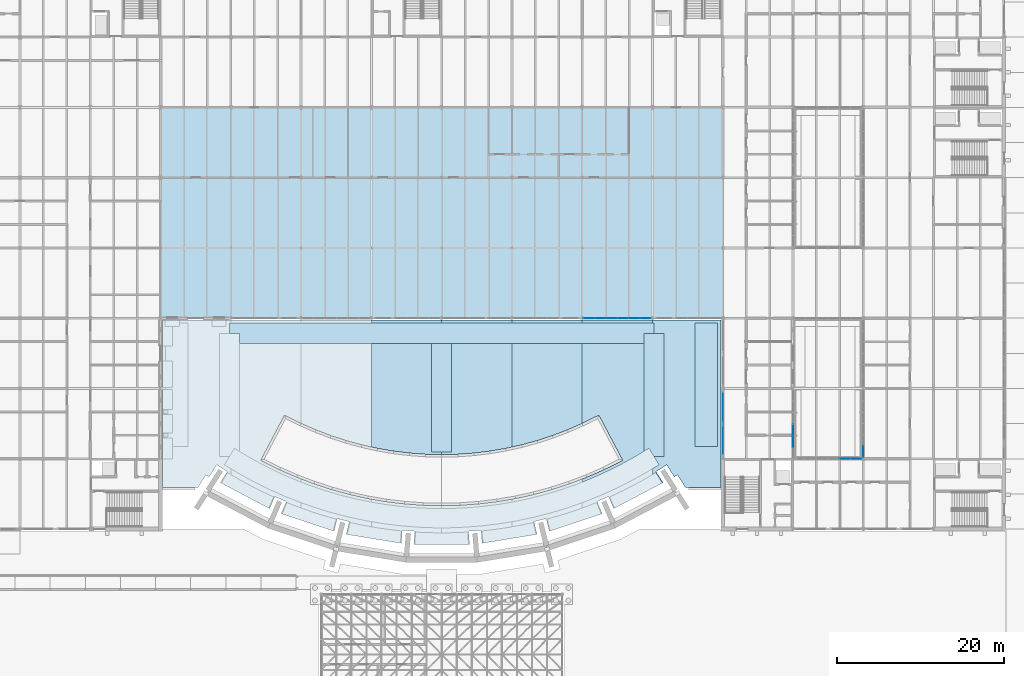
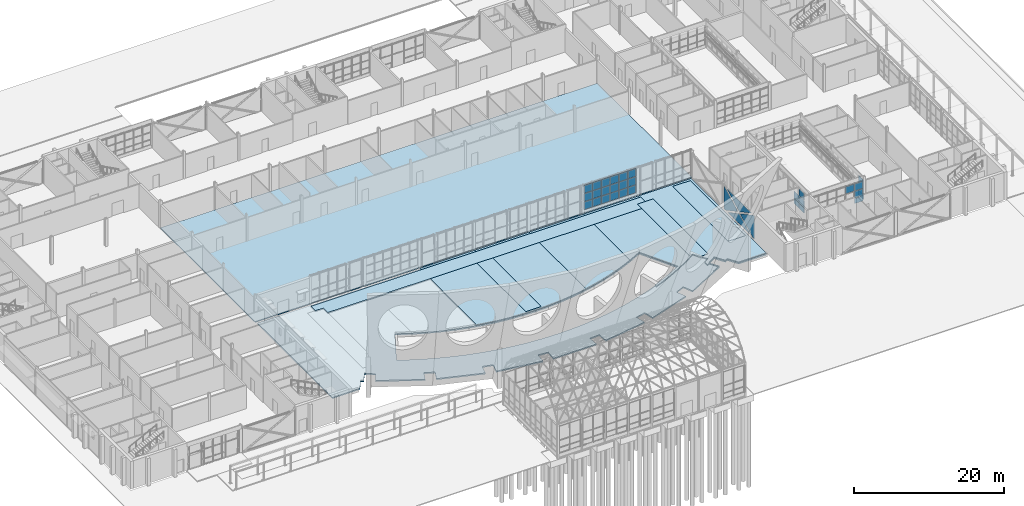
# One storey, part 75 of 116: 34 plates, 15 slabs, 5 elements without a shape of their own.
"""IFC4 building model written with IfcOpenShell, lengths in metres."""

from ifc_helpers import new_model, si_unit, direction, frame, origin, origin_2d, place, context, subcontext, project, spatial, polyline, rectangle, outline, extrude, material, layer, layer_set, type_object, element, aggregate, save


model = new_model("IFC4")

# Units and contexts
model_context = context("Model", 3, precision=1e-05, world=origin(), true_north=direction((0.0, 1.0)))
body_context = subcontext(model_context, "Body", "Model", "MODEL_VIEW")
ifc_project = project(units=[si_unit("LENGTHUNIT", "METRE"), si_unit("AREAUNIT", "SQUARE_METRE"), si_unit("VOLUMEUNIT", "CUBIC_METRE"), si_unit("PLANEANGLEUNIT", "RADIAN"), si_unit("MASSUNIT", "GRAM", prefix="KILO")], contexts=[model_context])

# Site, building, storey
site_placement = place(None, origin())
site = spatial("IfcSite", under=ifc_project, at=site_placement, CompositionType="ELEMENT")
building_placement = place(site_placement, origin())
building = spatial("IfcBuilding", under=site, at=building_placement, Name="Ardhachandra Cancer Care Centre", CompositionType="ELEMENT")
storey_placement = place(building_placement, origin())
storey = spatial("IfcBuildingStorey", under=building, at=storey_placement, Name="L00", CompositionType="ELEMENT", Elevation=0.0)

# Slabs
ifc_material_1 = material(Name="Composite slab Concrete M30 on steel deck", Category="concrete")
ifc_layer_1 = layer(ifc_material_1, 0.14990234375)
ifc_layer_set_1 = layer_set([ifc_layer_1], Name="Composite slab Concrete M30 on steel deck")
slab_type_1 = type_object("IfcSlabType", Name="Composite floor slab 150", PredefinedType="FLOOR", material=ifc_layer_set_1)
slab_1_placement = place(storey_placement, frame((0.0, 0.0, -0.14990234375)))
element("IfcSlab", 1, at=slab_1_placement, inside=storey, type_object=slab_type_1, Name="Floor slab V1-hall", PredefinedType="FLOOR", context=body_context, shape_type="SweptSolid", body=[
    extrude(outline(polyline([(111.60009765625, 54.60009765625), (111.60009765625, 79.800048828125), (44.39990234375, 79.800048828125), (44.39990234375, 54.60009765625), (111.60009765625, 54.60009765625)])), origin(), (0.0, 0.0, 1.0), 0.14990234375),
])
ifc_material_2 = material(Name="Concrete M40", Category="concrete")
ifc_layer_2 = layer(ifc_material_2, 0.199951171875)
ifc_layer_set_2 = layer_set([ifc_layer_2], Name="Concrete M40")
slab_type_2 = type_object("IfcSlabType", Name="Court bearing slab 200", PredefinedType="BASESLAB", material=ifc_layer_set_2)
slab_2_placement = place(storey_placement, frame((0.0, 0.0, -0.35009765625)))
element("IfcSlab", 2, at=slab_2_placement, inside=storey, type_object=slab_type_2, Name="Court bearing slab 1", PredefinedType="BASESLAB", context=body_context, shape_type="SweptSolid", body=[
    extrude(outline(polyline([(73.297119140625, 29.249755859375), (74.792236328125, 29.128662109375), (74.666015625, 27.56982421875), (74.790771484375, 27.56982421875), (81.209228515625, 27.56982421875), (81.333984375, 27.56982421875), (81.207763671875, 29.128662109375), (82.702880859375, 29.249755859375), (82.8291015625, 27.691162109375), (82.95263671875, 27.711181640625), (89.287109375, 28.74462890625), (86.39990234375, 28.273681640625), (89.410400390625, 28.7646484375), (89.03466796875, 30.28271484375), (90.49072265625, 30.64306640625), (90.866455078125, 29.125), (90.98486328125, 29.164794921875), (90.98486328125, 29.164794921875), (97.0703125, 31.20458984375), (96.295166015625, 30.94482421875), (97.18896484375, 31.244384765625), (96.57373046875, 32.681884765625), (97.952880859375, 33.27197265625), (98.56787109375, 31.834228515625), (98.678466796875, 31.892578125), (104.02001953125, 34.70849609375), (104.466796875, 34.94384765625), (103.628173828125, 36.263916015625), (104.894287109375, 37.068359375), (105.798095703125, 35.645751953125), (106.19384765625, 35.8544921875), (107.130859375, 34.379638671875), (111.375, 34.379638671875), (111.375, 54.375), (103.199951171875, 54.375), (94.800048828125, 54.375), (86.39990234375, 54.375), (78.0, 54.375), (69.60009765625, 54.375), (61.199951171875, 54.375), (52.800048828125, 54.375), (44.625, 54.375), (44.625, 34.379638671875), (48.869140625, 34.379638671875), (49.80615234375, 35.8544921875), (50.201904296875, 35.645751953125), (51.105712890625, 37.068359375), (52.371826171875, 36.263916015625), (51.533203125, 34.94384765625), (51.643798828125, 34.8857421875), (57.321533203125, 31.892578125), (57.43212890625, 31.834228515625), (58.047119140625, 33.27197265625), (59.42626953125, 32.681884765625), (58.81103515625, 31.244384765625), (61.199951171875, 30.443603515625), (58.9296875, 31.20458984375), (65.01513671875, 29.164794921875), (65.01513671875, 29.164794921875), (65.133544921875, 29.125), (65.50927734375, 30.64306640625), (66.96533203125, 30.28271484375), (66.589599609375, 28.7646484375), (69.60009765625, 28.273681640625), (66.712890625, 28.74462890625), (73.04736328125, 27.711181640625), (73.1708984375, 27.691162109375), (73.297119140625, 29.249755859375)]), holes=[polyline([(103.5888671875, 36.140869140625), (103.199951171875, 35.91162109375), (102.24609375, 35.34912109375), (103.5888671875, 36.140869140625)]), polyline([(76.07421875, 38.3359375), (74.153076171875, 38.47607421875), (72.24072265625, 38.708984375), (70.342041015625, 39.03466796875), (69.60009765625, 39.19921875), (68.46142578125, 39.451904296875), (66.603271484375, 39.959716796875), (64.77197265625, 40.55712890625), (62.9716796875, 41.24267578125), (61.206787109375, 42.014892578125), (61.199951171875, 42.018310546875), (59.212646484375, 43.005126953125), (56.367919921875, 37.608642578125), (58.627197265625, 36.487060546875), (60.6630859375, 35.59619140625), (61.199951171875, 35.391845703125), (62.739990234375, 34.805419921875), (64.8525390625, 34.1162109375), (66.99609375, 33.5302734375), (69.165771484375, 33.048828125), (69.60009765625, 32.974365234375), (71.35595703125, 32.67333984375), (73.56201171875, 32.404541015625), (75.7783203125, 32.242919921875), (78.0, 32.18896484375), (80.2216796875, 32.242919921875), (82.43798828125, 32.404541015625), (84.64404296875, 32.67333984375), (86.39990234375, 32.974365234375), (86.834228515625, 33.048828125), (89.00390625, 33.5302734375), (91.1474609375, 34.1162109375), (93.260009765625, 34.805419921875), (94.800048828125, 35.391845703125), (95.3369140625, 35.59619140625), (97.372802734375, 36.487060546875), (99.632080078125, 37.608642578125), (96.787353515625, 43.005126953125), (94.800048828125, 42.018310546875), (94.793212890625, 42.014892578125), (93.0283203125, 41.24267578125), (91.22802734375, 40.55712890625), (89.396728515625, 39.959716796875), (87.53857421875, 39.451904296875), (86.39990234375, 39.19921875), (85.657958984375, 39.03466796875), (83.75927734375, 38.708984375), (81.846923828125, 38.47607421875), (79.92578125, 38.3359375), (78.0, 38.289306640625), (76.07421875, 38.3359375)]), polyline([(95.9033203125, 35.45263671875), (94.800048828125, 35.015380859375), (94.104248046875, 34.73974609375), (95.9033203125, 35.45263671875)]), polyline([(93.01123046875, 31.9228515625), (94.800048828125, 32.54638671875), (94.884033203125, 32.575927734375), (93.01123046875, 31.9228515625)]), polyline([(85.109619140625, 30.063720703125), (86.39990234375, 30.2822265625), (87.065185546875, 30.394775390625), (85.109619140625, 30.063720703125)]), polyline([(86.657470703125, 32.658447265625), (86.39990234375, 32.614990234375), (84.749267578125, 32.33544921875), (86.657470703125, 32.658447265625)]), polyline([(69.60009765625, 32.614990234375), (69.342529296875, 32.658447265625), (71.250732421875, 32.33544921875), (69.60009765625, 32.614990234375)]), polyline([(68.934814453125, 30.394775390625), (69.60009765625, 30.2822265625), (70.890380859375, 30.063720703125), (68.934814453125, 30.394775390625)]), polyline([(60.9375, 32.001708984375), (62.407470703125, 31.48291015625), (61.199951171875, 31.9091796875), (60.9375, 32.001708984375)]), polyline([(52.800048828125, 35.91162109375), (52.4111328125, 36.140869140625), (53.75390625, 35.34912109375), (52.800048828125, 35.91162109375)])]), origin(), (0.0, 0.0, 1.0), 0.2001953125),
])

# Curtain wall, plates
ifc_material_3 = material(Name="Aluminium extrusion", Category="aluminium")
ifc_layer_3 = layer(ifc_material_3, 0.14990234375)
ifc_layer_set_3 = layer_set([ifc_layer_3], Name="Aluminium extrusion")
curtain_wall_type = type_object("IfcCurtainWallType", Name="Curtain wall run", PredefinedType="NOTDEFINED", material=ifc_layer_set_3)
curtain_wall_1_placement = place(storey_placement, origin())
curtain_wall_1 = element("IfcCurtainWall", 3, at=curtain_wall_1_placement, inside=storey, type_object=curtain_wall_type, Name="Curtain wall L00 e/0120000_0037800", PredefinedType="NOTDEFINED")
ifc_material_4 = material(Name="Low-iron double-glazed unit")
ifc_layer_4 = layer(ifc_material_4, 0.028076171875)
ifc_layer_set_4 = layer_set([ifc_layer_4], Name="Low-iron double-glazed unit")
plate_type_1 = type_object("IfcPlateType", Name="Curtain wall glazing 28", PredefinedType="CURTAIN_PANEL", material=ifc_layer_set_4)
plate_1_placement = place(storey_placement, frame((120.0, 39.862548828125, 1.3798828125), z_axis=(0.0, 0.0, 1.0), x_axis=(0.0, 1.0, 0.0)))
plate_1 = element("IfcPlate", 4, at=plate_1_placement, type_object=plate_type_1, Name="CW panel 2.2", PredefinedType="CURTAIN_PANEL", context=body_context, shape_type="SweptSolid", body=[
    extrude(rectangle(XDim=1.31494140625, YDim=0.028076171875, at=origin_2d()), origin(), (0.0, 0.0, 1.0), 1.139892578125),
])
plate_2_placement = place(storey_placement, frame((120.0, 39.862548828125, 2.580078125), z_axis=(0.0, 0.0, 1.0), x_axis=(0.0, 1.0, 0.0)))
plate_2 = element("IfcPlate", 5, at=plate_2_placement, type_object=plate_type_1, Name="CW panel 2.3", PredefinedType="CURTAIN_PANEL", context=body_context, shape_type="SweptSolid", body=[
    extrude(rectangle(XDim=1.31494140625, YDim=0.028076171875, at=origin_2d()), origin(), (0.0, 0.0, 1.0), 1.159912109375),
])

curtain_wall_2_placement = place(storey_placement, origin())
curtain_wall_2 = element("IfcCurtainWall", 6, at=curtain_wall_2_placement, inside=storey, type_object=curtain_wall_type, Name="Curtain wall L00 n/0120000_0037800", PredefinedType="NOTDEFINED")
plate_3_placement = place(storey_placement, frame((126.1875, 37.800048828125, 2.580078125), z_axis=(0.0, 0.0, 1.0), x_axis=(1.0, 0.0, 0.0)))
plate_3 = element("IfcPlate", 7, at=plate_3_placement, type_object=plate_type_1, Name="CW panel 5.3", PredefinedType="CURTAIN_PANEL", context=body_context, shape_type="SweptSolid", body=[
    extrude(rectangle(XDim=1.31494140625, YDim=0.028076171875, at=origin_2d()), origin(), (0.0, 0.0, 1.0), 1.159912109375),
])
plate_4_placement = place(storey_placement, frame((127.547607421875, 37.800048828125, 1.3798828125), z_axis=(0.0, 0.0, 1.0), x_axis=(1.0, 0.0, 0.0)))
plate_4 = element("IfcPlate", 8, at=plate_4_placement, type_object=plate_type_1, Name="CW panel 6.2", PredefinedType="CURTAIN_PANEL", context=body_context, shape_type="SweptSolid", body=[
    extrude(rectangle(XDim=1.284912109375, YDim=0.028076171875, at=origin_2d()), origin(), (0.0, 0.0, 1.0), 1.139892578125),
])
plate_5_placement = place(storey_placement, frame((127.547607421875, 37.800048828125, 2.580078125), z_axis=(0.0, 0.0, 1.0), x_axis=(1.0, 0.0, 0.0)))
plate_5 = element("IfcPlate", 9, at=plate_5_placement, type_object=plate_type_1, Name="CW panel 6.3", PredefinedType="CURTAIN_PANEL", context=body_context, shape_type="SweptSolid", body=[
    extrude(rectangle(XDim=1.284912109375, YDim=0.028076171875, at=origin_2d()), origin(), (0.0, 0.0, 1.0), 1.159912109375),
])

curtain_wall_3_placement = place(storey_placement, origin())
curtain_wall_3 = element("IfcCurtainWall", 10, at=curtain_wall_3_placement, inside=storey, type_object=curtain_wall_type, Name="Curtain wall L00 s/0094800_0054600", PredefinedType="NOTDEFINED")
plate_6_placement = place(storey_placement, frame((95.639892578125, 54.60009765625, 0.509765625), z_axis=(0.0, 0.0, 1.0), x_axis=(1.0, 0.0, 0.0)))
plate_6 = element("IfcPlate", 11, at=plate_6_placement, type_object=plate_type_1, Name="CW panel 1.1", PredefinedType="CURTAIN_PANEL", context=body_context, shape_type="SweptSolid", body=[
    extrude(rectangle(XDim=1.260009765625, YDim=0.028076171875, at=origin_2d()), origin(), (0.0, 0.0, 1.0), 1.260009765625),
])
plate_7_placement = place(storey_placement, frame((95.639892578125, 54.60009765625, 1.830078125), z_axis=(0.0, 0.0, 1.0), x_axis=(1.0, 0.0, 0.0)))
plate_7 = element("IfcPlate", 12, at=plate_7_placement, type_object=plate_type_1, Name="CW panel 1.2", PredefinedType="CURTAIN_PANEL", context=body_context, shape_type="SweptSolid", body=[
    extrude(rectangle(XDim=1.260009765625, YDim=0.028076171875, at=origin_2d()), origin(), (0.0, 0.0, 1.0), 1.2900390625),
])
plate_8_placement = place(storey_placement, frame((95.639892578125, 54.60009765625, 3.18017578125), z_axis=(0.0, 0.0, 1.0), x_axis=(1.0, 0.0, 0.0)))
plate_8 = element("IfcPlate", 13, at=plate_8_placement, type_object=plate_type_1, Name="CW panel 1.3", PredefinedType="CURTAIN_PANEL", context=body_context, shape_type="SweptSolid", body=[
    extrude(rectangle(XDim=1.260009765625, YDim=0.028076171875, at=origin_2d()), origin(), (0.0, 0.0, 1.0), 1.260009765625),
])
plate_9_placement = place(storey_placement, frame((96.97509765625, 54.60009765625, 0.509765625), z_axis=(0.0, 0.0, 1.0), x_axis=(1.0, 0.0, 0.0)))
plate_9 = element("IfcPlate", 14, at=plate_9_placement, type_object=plate_type_1, Name="CW panel 2.1", PredefinedType="CURTAIN_PANEL", context=body_context, shape_type="SweptSolid", body=[
    extrude(rectangle(XDim=1.2900390625, YDim=0.028076171875, at=origin_2d()), origin(), (0.0, 0.0, 1.0), 1.260009765625),
])
plate_10_placement = place(storey_placement, frame((96.97509765625, 54.60009765625, 1.830078125), z_axis=(0.0, 0.0, 1.0), x_axis=(1.0, 0.0, 0.0)))
plate_10 = element("IfcPlate", 15, at=plate_10_placement, type_object=plate_type_1, Name="CW panel 2.2", PredefinedType="CURTAIN_PANEL", context=body_context, shape_type="SweptSolid", body=[
    extrude(rectangle(XDim=1.2900390625, YDim=0.028076171875, at=origin_2d()), origin(), (0.0, 0.0, 1.0), 1.2900390625),
])
plate_11_placement = place(storey_placement, frame((96.97509765625, 54.60009765625, 3.18017578125), z_axis=(0.0, 0.0, 1.0), x_axis=(1.0, 0.0, 0.0)))
plate_11 = element("IfcPlate", 16, at=plate_11_placement, type_object=plate_type_1, Name="CW panel 2.3", PredefinedType="CURTAIN_PANEL", context=body_context, shape_type="SweptSolid", body=[
    extrude(rectangle(XDim=1.2900390625, YDim=0.028076171875, at=origin_2d()), origin(), (0.0, 0.0, 1.0), 1.260009765625),
])
plate_12_placement = place(storey_placement, frame((98.324951171875, 54.60009765625, 0.509765625), z_axis=(0.0, 0.0, 1.0), x_axis=(1.0, 0.0, 0.0)))
plate_12 = element("IfcPlate", 17, at=plate_12_placement, type_object=plate_type_1, Name="CW panel 3.1", PredefinedType="CURTAIN_PANEL", context=body_context, shape_type="SweptSolid", body=[
    extrude(rectangle(XDim=1.2900390625, YDim=0.028076171875, at=origin_2d()), origin(), (0.0, 0.0, 1.0), 1.260009765625),
])
plate_13_placement = place(storey_placement, frame((98.324951171875, 54.60009765625, 1.830078125), z_axis=(0.0, 0.0, 1.0), x_axis=(1.0, 0.0, 0.0)))
plate_13 = element("IfcPlate", 18, at=plate_13_placement, type_object=plate_type_1, Name="CW panel 3.2", PredefinedType="CURTAIN_PANEL", context=body_context, shape_type="SweptSolid", body=[
    extrude(rectangle(XDim=1.2900390625, YDim=0.028076171875, at=origin_2d()), origin(), (0.0, 0.0, 1.0), 1.2900390625),
])
plate_14_placement = place(storey_placement, frame((98.324951171875, 54.60009765625, 3.18017578125), z_axis=(0.0, 0.0, 1.0), x_axis=(1.0, 0.0, 0.0)))
plate_14 = element("IfcPlate", 19, at=plate_14_placement, type_object=plate_type_1, Name="CW panel 3.3", PredefinedType="CURTAIN_PANEL", context=body_context, shape_type="SweptSolid", body=[
    extrude(rectangle(XDim=1.2900390625, YDim=0.028076171875, at=origin_2d()), origin(), (0.0, 0.0, 1.0), 1.260009765625),
])
plate_15_placement = place(storey_placement, frame((99.675048828125, 54.60009765625, 0.509765625), z_axis=(0.0, 0.0, 1.0), x_axis=(1.0, 0.0, 0.0)))
plate_15 = element("IfcPlate", 20, at=plate_15_placement, type_object=plate_type_1, Name="CW panel 4.1", PredefinedType="CURTAIN_PANEL", context=body_context, shape_type="SweptSolid", body=[
    extrude(rectangle(XDim=1.2900390625, YDim=0.028076171875, at=origin_2d()), origin(), (0.0, 0.0, 1.0), 1.260009765625),
])
plate_16_placement = place(storey_placement, frame((99.675048828125, 54.60009765625, 1.830078125), z_axis=(0.0, 0.0, 1.0), x_axis=(1.0, 0.0, 0.0)))
plate_16 = element("IfcPlate", 21, at=plate_16_placement, type_object=plate_type_1, Name="CW panel 4.2", PredefinedType="CURTAIN_PANEL", context=body_context, shape_type="SweptSolid", body=[
    extrude(rectangle(XDim=1.2900390625, YDim=0.028076171875, at=origin_2d()), origin(), (0.0, 0.0, 1.0), 1.2900390625),
])
plate_17_placement = place(storey_placement, frame((99.675048828125, 54.60009765625, 3.18017578125), z_axis=(0.0, 0.0, 1.0), x_axis=(1.0, 0.0, 0.0)))
plate_17 = element("IfcPlate", 22, at=plate_17_placement, type_object=plate_type_1, Name="CW panel 4.3", PredefinedType="CURTAIN_PANEL", context=body_context, shape_type="SweptSolid", body=[
    extrude(rectangle(XDim=1.2900390625, YDim=0.028076171875, at=origin_2d()), origin(), (0.0, 0.0, 1.0), 1.260009765625),
])
plate_18_placement = place(storey_placement, frame((101.02490234375, 54.60009765625, 0.509765625), z_axis=(0.0, 0.0, 1.0), x_axis=(1.0, 0.0, 0.0)))
plate_18 = element("IfcPlate", 23, at=plate_18_placement, type_object=plate_type_1, Name="CW panel 5.1", PredefinedType="CURTAIN_PANEL", context=body_context, shape_type="SweptSolid", body=[
    extrude(rectangle(XDim=1.2900390625, YDim=0.028076171875, at=origin_2d()), origin(), (0.0, 0.0, 1.0), 1.260009765625),
])
plate_19_placement = place(storey_placement, frame((101.02490234375, 54.60009765625, 1.830078125), z_axis=(0.0, 0.0, 1.0), x_axis=(1.0, 0.0, 0.0)))
plate_19 = element("IfcPlate", 24, at=plate_19_placement, type_object=plate_type_1, Name="CW panel 5.2", PredefinedType="CURTAIN_PANEL", context=body_context, shape_type="SweptSolid", body=[
    extrude(rectangle(XDim=1.2900390625, YDim=0.028076171875, at=origin_2d()), origin(), (0.0, 0.0, 1.0), 1.2900390625),
])
plate_20_placement = place(storey_placement, frame((101.02490234375, 54.60009765625, 3.18017578125), z_axis=(0.0, 0.0, 1.0), x_axis=(1.0, 0.0, 0.0)))
plate_20 = element("IfcPlate", 25, at=plate_20_placement, type_object=plate_type_1, Name="CW panel 5.3", PredefinedType="CURTAIN_PANEL", context=body_context, shape_type="SweptSolid", body=[
    extrude(rectangle(XDim=1.2900390625, YDim=0.028076171875, at=origin_2d()), origin(), (0.0, 0.0, 1.0), 1.260009765625),
])
plate_21_placement = place(storey_placement, frame((102.360107421875, 54.60009765625, 0.509765625), z_axis=(0.0, 0.0, 1.0), x_axis=(1.0, 0.0, 0.0)))
plate_21 = element("IfcPlate", 26, at=plate_21_placement, type_object=plate_type_1, Name="CW panel 6.1", PredefinedType="CURTAIN_PANEL", context=body_context, shape_type="SweptSolid", body=[
    extrude(rectangle(XDim=1.260009765625, YDim=0.028076171875, at=origin_2d()), origin(), (0.0, 0.0, 1.0), 1.260009765625),
])
plate_22_placement = place(storey_placement, frame((102.360107421875, 54.60009765625, 1.830078125), z_axis=(0.0, 0.0, 1.0), x_axis=(1.0, 0.0, 0.0)))
plate_22 = element("IfcPlate", 27, at=plate_22_placement, type_object=plate_type_1, Name="CW panel 6.2", PredefinedType="CURTAIN_PANEL", context=body_context, shape_type="SweptSolid", body=[
    extrude(rectangle(XDim=1.260009765625, YDim=0.028076171875, at=origin_2d()), origin(), (0.0, 0.0, 1.0), 1.2900390625),
])
plate_23_placement = place(storey_placement, frame((102.360107421875, 54.60009765625, 3.18017578125), z_axis=(0.0, 0.0, 1.0), x_axis=(1.0, 0.0, 0.0)))
plate_23 = element("IfcPlate", 28, at=plate_23_placement, type_object=plate_type_1, Name="CW panel 6.3", PredefinedType="CURTAIN_PANEL", context=body_context, shape_type="SweptSolid", body=[
    extrude(rectangle(XDim=1.260009765625, YDim=0.028076171875, at=origin_2d()), origin(), (0.0, 0.0, 1.0), 1.260009765625),
])
aggregate(curtain_wall_3, [plate_6, plate_7, plate_8, plate_9, plate_10, plate_11, plate_12, plate_13, plate_14, plate_15, plate_16, plate_17, plate_18, plate_19, plate_20, plate_21, plate_22, plate_23])

curtain_wall_4_placement = place(storey_placement, origin())
curtain_wall_4 = element("IfcCurtainWall", 29, at=curtain_wall_4_placement, inside=storey, type_object=curtain_wall_type, Name="Curtain wall L00 w/0111600_0037800", PredefinedType="NOTDEFINED")
plate_24_placement = place(storey_placement, frame((111.60009765625, 45.9951171875, 3.7900390625), z_axis=(-1.0, 0.0, 0.0), x_axis=(0.0, 0.0, -1.0)))
plate_24 = element("IfcPlate", 30, at=plate_24_placement, type_object=plate_type_1, Name="CW panel 1.1", PredefinedType="CURTAIN_PANEL", context=body_context, shape_type="SweptSolid", body=[
    extrude(outline(polyline([(0.0, 0.0), (3.72998046875, 0.0), (3.72998046875, 0.362548828125), (1.93994140625, 3.703857421875), (0.0, 0.08251953125), (0.0, 0.0)])), origin(), (0.0, 0.0, 1.0), 0.028076171875),
])
plate_25_placement = place(storey_placement, frame((111.60009765625, 45.330078125, 3.7900390625), z_axis=(-1.0, 0.0, 0.0), x_axis=(0.0, -0.881483812908, -0.47221423907)))
plate_25 = element("IfcPlate", 31, at=plate_25_placement, type_object=plate_type_1, Name="CW panel 1.1", PredefinedType="CURTAIN_PANEL", context=body_context, shape_type="SweptSolid", body=[
    extrude(outline(polyline([(0.0, 0.0), (3.77783203125, 0.0), (5.870849609375, 3.14501953125), (0.0, 0.0)])), frame((0.0, 0.0, -0.028076171875)), (0.0, 0.0, 1.0), 0.028076171875),
])
plate_26_placement = place(storey_placement, frame((111.60009765625, 37.860107421875, 0.06005859375), z_axis=(-1.0, 0.0, 0.0), x_axis=(0.0, 0.0, 1.0)))
plate_26 = element("IfcPlate", 32, at=plate_26_placement, type_object=plate_type_1, Name="CW panel 1.1", PredefinedType="CURTAIN_PANEL", context=body_context, shape_type="SweptSolid", body=[
    extrude(outline(polyline([(0.0, 0.0), (3.72998046875, 0.0), (3.72998046875, 0.227294921875), (1.7900390625, 3.8486328125), (0.0, 0.50732421875), (0.0, 0.0)])), origin(), (0.0, 0.0, 1.0), 0.028076171875),
])
plate_27_placement = place(storey_placement, frame((111.60009765625, 38.949951171875, 0.06005859375), z_axis=(-1.0, 0.0, 0.0), x_axis=(0.0, 0.881470529599, 0.472239034228)))
plate_27 = element("IfcPlate", 33, at=plate_27_placement, type_object=plate_type_1, Name="CW panel 1.1", PredefinedType="CURTAIN_PANEL", context=body_context, shape_type="SweptSolid", body=[
    extrude(outline(polyline([(0.0, 0.0), (3.460205078125, 0.0), (5.376953125, 2.880615234375), (0.0, 0.0)])), frame((0.0, 0.0, -0.028076171875)), (0.0, 0.0, 1.0), 0.028076171875),
])
aggregate(curtain_wall_4, [plate_24, plate_25, plate_26, plate_27])

curtain_wall_5_placement = place(storey_placement, origin())
curtain_wall_5 = element("IfcCurtainWall", 34, at=curtain_wall_5_placement, inside=storey, type_object=curtain_wall_type, Name="Curtain wall L00 w/0128400_0037800", PredefinedType="NOTDEFINED")
plate_28_placement = place(storey_placement, frame((128.39990234375, 38.639892578125, 1.3798828125), z_axis=(0.0, 0.0, 1.0), x_axis=(0.0, 1.0, 0.0)))
plate_28 = element("IfcPlate", 35, at=plate_28_placement, type_object=plate_type_1, Name="CW panel 1.2", PredefinedType="CURTAIN_PANEL", context=body_context, shape_type="SweptSolid", body=[
    extrude(rectangle(XDim=1.260009765625, YDim=0.028076171875, at=origin_2d()), origin(), (0.0, 0.0, 1.0), 1.139892578125),
])
plate_29_placement = place(storey_placement, frame((128.39990234375, 38.639892578125, 2.580078125), z_axis=(0.0, 0.0, 1.0), x_axis=(0.0, 1.0, 0.0)))
plate_29 = element("IfcPlate", 36, at=plate_29_placement, type_object=plate_type_1, Name="CW panel 1.3", PredefinedType="CURTAIN_PANEL", context=body_context, shape_type="SweptSolid", body=[
    extrude(rectangle(XDim=1.260009765625, YDim=0.028076171875, at=origin_2d()), origin(), (0.0, 0.0, 1.0), 1.159912109375),
])

# Plate
ifc_material_5 = material(Name="Aluminium composite spandrel panel", Category="aluminium")
ifc_layer_5 = layer(ifc_material_5, 0.028076171875)
ifc_layer_set_5 = layer_set([ifc_layer_5], Name="Aluminium composite spandrel panel")
plate_type_2 = type_object("IfcPlateType", Name="Curtain wall spandrel panel 28", PredefinedType="CURTAIN_PANEL", material=ifc_layer_set_5)
plate_30_placement = place(storey_placement, frame((120.0, 39.862548828125, 0.510009765625), z_axis=(0.0, 0.0, 1.0), x_axis=(0.0, 1.0, 0.0)))
plate_30 = element("IfcPlate", 37, at=plate_30_placement, type_object=plate_type_2, Name="CW panel 2.1", PredefinedType="CURTAIN_PANEL", context=body_context, shape_type="SweptSolid", body=[
    extrude(rectangle(XDim=1.31494140625, YDim=0.028076171875, at=origin_2d()), origin(), (0.0, 0.0, 1.0), 0.81005859375),
])

plate_31_placement = place(storey_placement, frame((120.0, 41.237548828125, 0.510009765625), z_axis=(0.0, 0.0, 1.0), x_axis=(0.0, 1.0, 0.0)))
plate_31 = element("IfcPlate", 38, at=plate_31_placement, type_object=plate_type_2, Name="CW panel 3.1", PredefinedType="CURTAIN_PANEL", context=body_context, shape_type="SweptSolid", body=[
    extrude(rectangle(XDim=1.31494140625, YDim=0.028076171875, at=origin_2d()), origin(), (0.0, 0.0, 1.0), 0.81005859375),
])

plate_32_placement = place(storey_placement, frame((120.0, 41.237548828125, 1.3798828125), z_axis=(0.0, 0.0, 1.0), x_axis=(0.0, 1.0, 0.0)))
plate_32 = element("IfcPlate", 39, at=plate_32_placement, type_object=plate_type_2, Name="CW panel 3.2", PredefinedType="CURTAIN_PANEL", context=body_context, shape_type="SweptSolid", body=[
    extrude(rectangle(XDim=1.31494140625, YDim=0.028076171875, at=origin_2d()), origin(), (0.0, 0.0, 1.0), 1.139892578125),
])

aggregate(curtain_wall_1, [plate_30, plate_1, plate_2, plate_31, plate_32])

plate_33_placement = place(storey_placement, frame((127.547607421875, 37.800048828125, 0.510009765625), z_axis=(0.0, 0.0, 1.0), x_axis=(1.0, 0.0, 0.0)))
plate_33 = element("IfcPlate", 40, at=plate_33_placement, type_object=plate_type_2, Name="CW panel 6.1", PredefinedType="CURTAIN_PANEL", context=body_context, shape_type="SweptSolid", body=[
    extrude(rectangle(XDim=1.284912109375, YDim=0.028076171875, at=origin_2d()), origin(), (0.0, 0.0, 1.0), 0.81005859375),
])

aggregate(curtain_wall_2, [plate_3, plate_33, plate_4, plate_5])

plate_34_placement = place(storey_placement, frame((128.39990234375, 38.639892578125, 0.510009765625), z_axis=(0.0, 0.0, 1.0), x_axis=(0.0, 1.0, 0.0)))
plate_34 = element("IfcPlate", 41, at=plate_34_placement, type_object=plate_type_2, Name="CW panel 1.1", PredefinedType="CURTAIN_PANEL", context=body_context, shape_type="SweptSolid", body=[
    extrude(rectangle(XDim=1.260009765625, YDim=0.028076171875, at=origin_2d()), origin(), (0.0, 0.0, 1.0), 0.81005859375),
])

aggregate(curtain_wall_5, [plate_34, plate_28, plate_29])

# Slabs
ifc_material_6 = material(Name="Granite", Category="masonry")
ifc_layer_6 = layer(ifc_material_6, 0.14990234375)
ifc_layer_set_6 = layer_set([ifc_layer_6], Name="Granite")
slab_type_3 = type_object("IfcSlabType", Name="Granite court paving 150", PredefinedType="BASESLAB", material=ifc_layer_set_6)
slab_3_placement = place(storey_placement, frame((0.0, 0.0, -0.14990234375)))
element("IfcSlab", 42, at=slab_3_placement, inside=storey, type_object=slab_type_3, Name="Court paving 9", PredefinedType="BASESLAB", context=body_context, shape_type="SweptSolid", body=[
    extrude(outline(polyline([(76.800048828125, 51.60009765625), (69.60009765625, 51.60009765625), (69.60009765625, 39.19921875), (70.342041015625, 39.03466796875), (72.24072265625, 38.708984375), (74.153076171875, 38.47607421875), (76.07421875, 38.3359375), (78.0, 38.289306640625), (78.0, 38.589111328125), (76.800048828125, 38.589111328125), (76.800048828125, 51.60009765625)])), origin(), (0.0, 0.0, 1.0), 0.14990234375),
])
slab_4_placement = place(storey_placement, frame((0.0, 0.0, -0.14990234375)))
element("IfcSlab", 43, at=slab_4_placement, inside=storey, type_object=slab_type_3, Name="Court paving 12", PredefinedType="BASESLAB", context=body_context, shape_type="SweptSolid", body=[
    extrude(outline(polyline([(78.0, 54.375), (69.60009765625, 54.375), (69.60009765625, 54.0), (78.0, 54.0), (78.0, 54.375)])), origin(), (0.0, 0.0, 1.0), 0.14990234375),
])
slab_5_placement = place(storey_placement, frame((0.0, 0.0, -0.14990234375)))
element("IfcSlab", 44, at=slab_5_placement, inside=storey, type_object=slab_type_3, Name="Court paving 13", PredefinedType="BASESLAB", context=body_context, shape_type="SweptSolid", body=[
    extrude(outline(polyline([(86.39990234375, 54.375), (78.0, 54.375), (78.0, 54.0), (86.39990234375, 54.0), (86.39990234375, 54.375)])), origin(), (0.0, 0.0, 1.0), 0.14990234375),
])
slab_6_placement = place(storey_placement, frame((0.0, 0.0, -0.14990234375)))
element("IfcSlab", 45, at=slab_6_placement, inside=storey, type_object=slab_type_3, Name="Court paving 16", PredefinedType="BASESLAB", context=body_context, shape_type="SweptSolid", body=[
    extrude(outline(polyline([(79.199951171875, 38.589111328125), (78.0, 38.589111328125), (78.0, 38.289306640625), (79.92578125, 38.3359375), (81.846923828125, 38.47607421875), (83.75927734375, 38.708984375), (85.657958984375, 39.03466796875), (86.39990234375, 39.19921875), (86.39990234375, 51.60009765625), (79.199951171875, 51.60009765625), (79.199951171875, 38.589111328125)])), origin(), (0.0, 0.0, 1.0), 0.14990234375),
])
slab_7_placement = place(storey_placement, frame((0.0, 0.0, -0.14990234375)))
element("IfcSlab", 46, at=slab_7_placement, inside=storey, type_object=slab_type_3, Name="Court paving 17", PredefinedType="BASESLAB", context=body_context, shape_type="SweptSolid", body=[
    extrude(outline(polyline([(94.800048828125, 51.60009765625), (86.39990234375, 51.60009765625), (86.39990234375, 39.19921875), (87.53857421875, 39.451904296875), (89.396728515625, 39.959716796875), (91.22802734375, 40.55712890625), (93.0283203125, 41.24267578125), (94.793212890625, 42.014892578125), (94.800048828125, 42.018310546875), (94.800048828125, 51.60009765625)])), origin(), (0.0, 0.0, 1.0), 0.14990234375),
])
slab_8_placement = place(storey_placement, frame((0.0, 0.0, -0.14990234375)))
element("IfcSlab", 47, at=slab_8_placement, inside=storey, type_object=slab_type_3, Name="Court paving 18", PredefinedType="BASESLAB", context=body_context, shape_type="SweptSolid", body=[
    extrude(outline(polyline([(94.800048828125, 54.375), (86.39990234375, 54.375), (86.39990234375, 54.0), (94.800048828125, 54.0), (94.800048828125, 54.375)])), origin(), (0.0, 0.0, 1.0), 0.14990234375),
])
slab_9_placement = place(storey_placement, frame((0.0, 0.0, -0.14990234375)))
element("IfcSlab", 48, at=slab_9_placement, inside=storey, type_object=slab_type_3, Name="Court paving 21", PredefinedType="BASESLAB", context=body_context, shape_type="SweptSolid", body=[
    extrude(outline(polyline([(99.404052734375, 37.101806640625), (101.099365234375, 38.03466796875), (102.1708984375, 38.6845703125), (102.1708984375, 51.60009765625), (94.800048828125, 51.60009765625), (94.800048828125, 42.018310546875), (96.787353515625, 43.005126953125), (99.632080078125, 37.608642578125), (97.372802734375, 36.487060546875), (95.3369140625, 35.59619140625), (94.800048828125, 35.391845703125), (94.800048828125, 35.015380859375), (95.9033203125, 35.45263671875), (97.6708984375, 36.240478515625), (99.404052734375, 37.101806640625)])), origin(), (0.0, 0.0, 1.0), 0.14990234375),
])
slab_10_placement = place(storey_placement, frame((0.0, 0.0, -0.14990234375)))
element("IfcSlab", 49, at=slab_10_placement, inside=storey, type_object=slab_type_3, Name="Court paving 22", PredefinedType="BASESLAB", context=body_context, shape_type="SweptSolid", body=[
    extrude(outline(polyline([(103.199951171875, 54.375), (94.800048828125, 54.375), (94.800048828125, 54.0), (103.199951171875, 54.0), (103.199951171875, 54.375)])), origin(), (0.0, 0.0, 1.0), 0.14990234375),
])
slab_11_placement = place(storey_placement, frame((0.0, 0.0, -0.14990234375)))
element("IfcSlab", 50, at=slab_11_placement, inside=storey, type_object=slab_type_3, Name="Court paving 24", PredefinedType="BASESLAB", context=body_context, shape_type="SweptSolid", body=[
    extrude(outline(polyline([(111.375, 54.375), (103.199951171875, 54.375), (103.199951171875, 54.0), (103.370849609375, 54.0), (103.370849609375, 52.800048828125), (104.571044921875, 52.800048828125), (104.571044921875, 38.067138671875), (103.370849609375, 38.067138671875), (103.96728515625, 37.083740234375), (103.199951171875, 36.61865234375), (103.199951171875, 35.91162109375), (103.5888671875, 36.140869140625), (104.356201171875, 34.8857421875), (103.199951171875, 34.276123046875), (104.466796875, 34.94384765625), (103.628173828125, 36.263916015625), (104.894287109375, 37.068359375), (105.798095703125, 35.645751953125), (106.19384765625, 35.8544921875), (107.130859375, 34.379638671875), (111.375, 34.379638671875), (111.375, 54.375)]), holes=[polyline([(111.0, 54.0), (108.300048828125, 54.0), (108.300048828125, 39.26708984375), (111.0, 39.26708984375), (111.0, 54.0)])]), origin(), (0.0, 0.0, 1.0), 0.14990234375),
])
ifc_material_7 = material(Name="Granite", Category="masonry")
ifc_layer_7 = layer(ifc_material_7, 0.14990234375)
ifc_layer_set_7 = layer_set([ifc_layer_7], Name="Granite")
slab_type_4 = type_object("IfcSlabType", Name="Granite path paving 150", PredefinedType="BASESLAB", material=ifc_layer_set_7)
slab_12_placement = place(storey_placement, frame((0.0, 0.0, -0.14990234375)))
element("IfcSlab", 51, at=slab_12_placement, inside=storey, type_object=slab_type_4, Name="Path paving 3", PredefinedType="BASESLAB", context=body_context, shape_type="SweptSolid", body=[
    extrude(outline(polyline([(76.800048828125, 38.589111328125), (79.199951171875, 38.589111328125), (79.199951171875, 51.60009765625), (76.800048828125, 51.60009765625), (76.800048828125, 38.589111328125)])), origin(), (0.0, 0.0, 1.0), 0.14990234375),
])
slab_13_placement = place(storey_placement, frame((0.0, 0.0, -0.14990234375)))
element("IfcSlab", 52, at=slab_13_placement, inside=storey, type_object=slab_type_4, Name="Path paving 4", PredefinedType="BASESLAB", context=body_context, shape_type="SweptSolid", body=[
    extrude(outline(polyline([(103.370849609375, 52.800048828125), (103.370849609375, 54.0), (52.629150390625, 54.0), (52.629150390625, 52.800048828125), (53.8291015625, 52.800048828125), (53.8291015625, 51.60009765625), (102.1708984375, 51.60009765625), (102.1708984375, 52.800048828125), (103.370849609375, 52.800048828125)])), origin(), (0.0, 0.0, 1.0), 0.14990234375),
])
slab_14_placement = place(storey_placement, frame((0.0, 0.0, -0.14990234375)))
element("IfcSlab", 53, at=slab_14_placement, inside=storey, type_object=slab_type_4, Name="Path paving 5", PredefinedType="BASESLAB", context=body_context, shape_type="SweptSolid", body=[
    extrude(outline(polyline([(104.571044921875, 52.800048828125), (102.1708984375, 52.800048828125), (102.1708984375, 38.6845703125), (102.774658203125, 39.050537109375), (103.370849609375, 38.067138671875), (104.571044921875, 38.067138671875), (104.571044921875, 52.800048828125)])), origin(), (0.0, 0.0, 1.0), 0.14990234375),
])
ifc_material_8 = material(Name="Planting soil")
ifc_layer_8 = layer(ifc_material_8, 0.14990234375)
ifc_layer_set_8 = layer_set([ifc_layer_8], Name="Planting soil")
slab_type_5 = type_object("IfcSlabType", Name="Planting bed 150", PredefinedType="BASESLAB", material=ifc_layer_set_8)
slab_15_placement = place(storey_placement, frame((0.0, 0.0, -0.14990234375)))
element("IfcSlab", 54, at=slab_15_placement, inside=storey, type_object=slab_type_5, Name="Planting bed 9", PredefinedType="BASESLAB", context=body_context, shape_type="SweptSolid", body=[
    extrude(outline(polyline([(108.300048828125, 54.0), (108.300048828125, 39.26708984375), (111.0, 39.26708984375), (111.0, 54.0), (108.300048828125, 54.0)])), origin(), (0.0, 0.0, 1.0), 0.14990234375),
])

save(model, "model.ifc")
